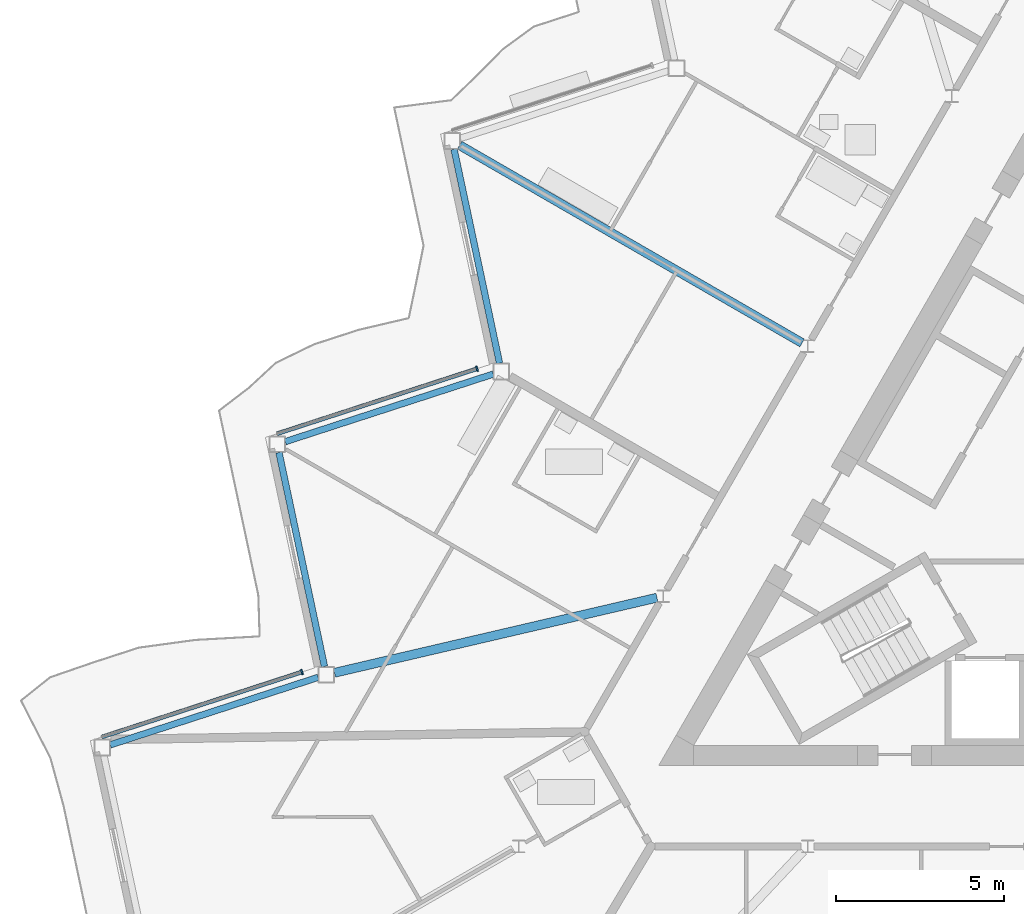
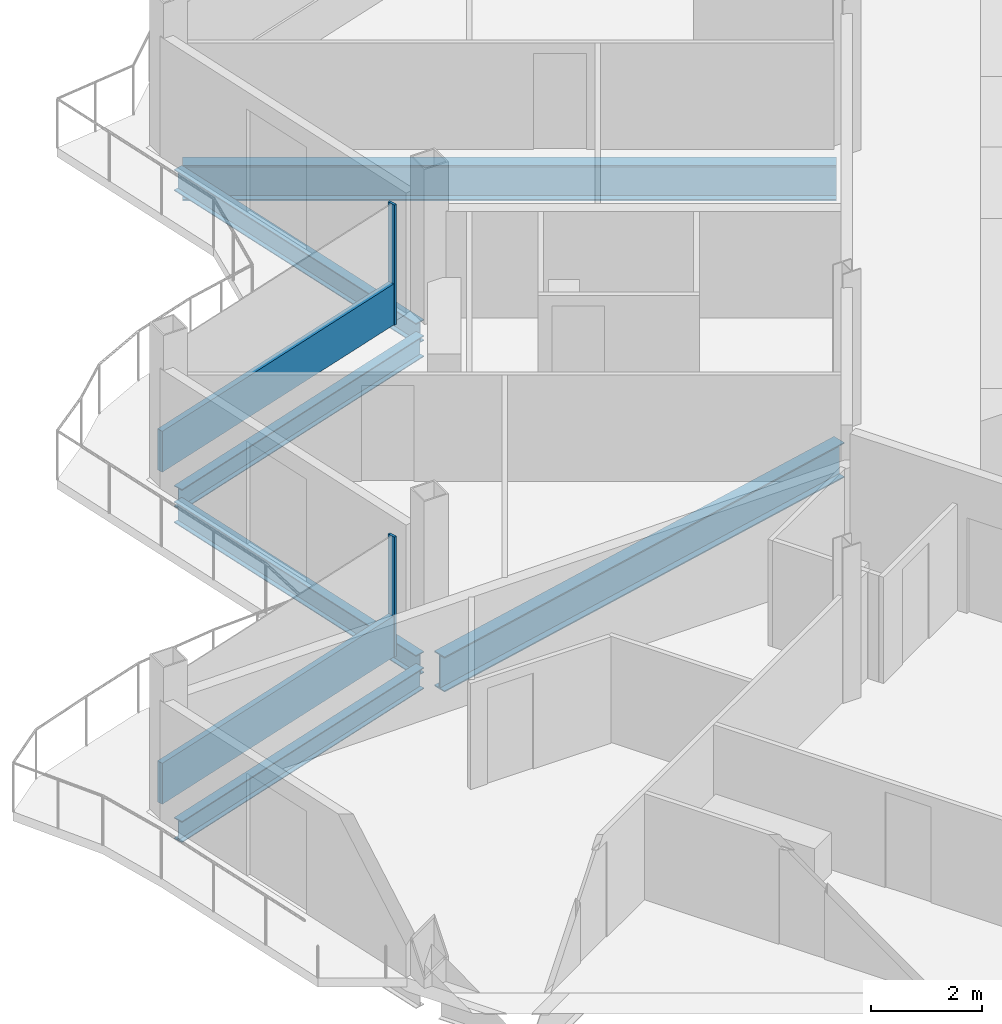
# One storey, part 6 of 26: 6 beams, 4 members, 2 elements without a shape of their own.
"""IFC4 building model written with IfcOpenShell, lengths in metres."""

from ifc_helpers import new_model, si_unit, direction, frame, origin, origin_2d, place, context, subcontext, project, spatial, rectangle, i_section, extrude, material, layer, layer_set, material_profile, profile_set, type_object, element, aggregate, save


model = new_model("IFC4")

# Units and contexts
model_context = context("Model", 3, precision=1e-05, world=origin(), true_north=direction((0.0, 1.0)))
body_context = subcontext(model_context, "Body", "Model", "MODEL_VIEW")
ifc_project = project(units=[si_unit("LENGTHUNIT", "METRE"), si_unit("AREAUNIT", "SQUARE_METRE"), si_unit("VOLUMEUNIT", "CUBIC_METRE"), si_unit("PLANEANGLEUNIT", "RADIAN"), si_unit("MASSUNIT", "GRAM", prefix="KILO")], contexts=[model_context])

# Site, building, storey
site_placement = place(None, origin())
site = spatial("IfcSite", under=ifc_project, at=site_placement, CompositionType="ELEMENT")
building_placement = place(site_placement, origin())
building = spatial("IfcBuilding", under=site, at=building_placement, Name="Cormorant Prow Tower", CompositionType="ELEMENT")
storey_placement = place(building_placement, frame((0.0, 0.0, 381.39990234375)))
storey = spatial("IfcBuildingStorey", under=building, at=storey_placement, Name="L86", CompositionType="ELEMENT", Elevation=381.39990234375)

# Beams
ifc_material_1 = material(Name="Structural steel ASTM A992 Gr 50", Category="steel")
ifc_material_profile_1 = material_profile(ifc_material_1, i_section(OverallWidth=0.267822265625, OverallDepth=0.77001953125, WebThickness=0.015625, FlangeThickness=0.025390625, at=origin_2d()), Name="W30x132")
ifc_profile_set_1 = profile_set([ifc_material_profile_1], Name="Structural steel ASTM A992 Gr 50")
beam_type_1 = type_object("IfcBeamType", Name="Radial floor beam W30x132", PredefinedType="BEAM", material=ifc_profile_set_1)
beam_1_placement = place(storey_placement, frame((-8.740478515625, 5.04638671875, -0.684814453125), z_axis=(-0.866026702285, 0.499997750924, 0.0), x_axis=(-0.499997750924, -0.866026702285, 0.0)))
element("IfcBeam", 1, at=beam_1_placement, inside=storey, type_object=beam_type_1, Name="Radial floor beam FB3 3 L86", PredefinedType="BEAM", context=body_context, shape_type="SweptSolid", body=[
    extrude(i_section(OverallWidth=0.267822265625, OverallDepth=0.77001953125, WebThickness=0.015625, FlangeThickness=0.025390625, at=origin_2d()), origin(), (0.0, 0.0, 1.0), 11.7451171875),
])
beam_2_placement = place(storey_placement, frame((-13.0498046875, -2.518798828125, -0.684814453125), z_axis=(-0.973926084128, -0.226865560752, 0.0), x_axis=(0.226865560752, -0.973926084128, 0.0)))
element("IfcBeam", 2, at=beam_2_placement, inside=storey, type_object=beam_type_1, Name="Radial floor beam FB3 4 L86", PredefinedType="BEAM", context=body_context, shape_type="SweptSolid", body=[
    extrude(i_section(OverallWidth=0.267822265625, OverallDepth=0.77001953125, WebThickness=0.015625, FlangeThickness=0.025390625, at=origin_2d()), origin(), (0.0, 0.0, 1.0), 9.837158203125),
])

# Curtain wall, member
ifc_material_2 = material(Name="Aluminium 6063-T6", Category="aluminium")
ifc_layer = layer(ifc_material_2, 0.159912109375)
ifc_layer_set = layer_set([ifc_layer], Name="Aluminium 6063-T6")
curtain_wall_type = type_object("IfcCurtainWallType", Name="Residential unitised curtain wall 160", PredefinedType="NOTDEFINED", material=ifc_layer_set)
curtain_wall_1_placement = place(storey_placement, origin())
curtain_wall_1 = element("IfcCurtainWall", 3, at=curtain_wall_1_placement, inside=storey, type_object=curtain_wall_type, Name="Residential curtain wall WNW06", PredefinedType="NOTDEFINED")
ifc_material_3 = material(Name="Aluminium 6063-T6", Category="aluminium")
ifc_material_profile_2 = material_profile(ifc_material_3, rectangle(XDim=0.159912109375, YDim=0.050048828125, at=origin_2d()), Name="Residential mullion 50x160")
ifc_profile_set_2 = profile_set([ifc_material_profile_2], Name="Aluminium 6063-T6")
member_type_1 = type_object("IfcMemberType", Name="Residential mullion 50x160", PredefinedType="MULLION", material=ifc_profile_set_2)
member_1_placement = place(storey_placement, frame((-18.3955078125, 4.28076171875, 0.0), z_axis=(0.0, 0.0, 1.0), x_axis=(0.309017024369, -0.951056506549, 0.0)))
member_1 = element("IfcMember", 4, at=member_1_placement, type_object=member_type_1, Name="Residential mullion WNW06", PredefinedType="MULLION", context=body_context, shape_type="SweptSolid", body=[
    extrude(rectangle(XDim=0.159912109375, YDim=0.050048828125, at=origin_2d()), origin(), (0.0, 0.0, 1.0), 2.634033203125),
])

curtain_wall_2_placement = place(storey_placement, origin())
curtain_wall_2 = element("IfcCurtainWall", 5, at=curtain_wall_2_placement, inside=storey, type_object=curtain_wall_type, Name="Residential curtain wall WNW08", PredefinedType="NOTDEFINED")
member_2_placement = place(storey_placement, frame((-23.595458984375, -4.72607421875, 0.0), z_axis=(0.0, 0.0, 1.0), x_axis=(0.309016895096, -0.951056548553, 0.0)))
member_2 = element("IfcMember", 6, at=member_2_placement, type_object=member_type_1, Name="Residential mullion WNW08", PredefinedType="MULLION", context=body_context, shape_type="SweptSolid", body=[
    extrude(rectangle(XDim=0.159912109375, YDim=0.050048828125, at=origin_2d()), origin(), (0.0, 0.0, 1.0), 2.634033203125),
])

# Member
ifc_material_4 = material(Name="Terracotta", Category="masonry")
ifc_material_profile_3 = material_profile(ifc_material_4, rectangle(XDim=0.1201171875, YDim=0.89990234375, at=origin_2d()), Name="Residential terracotta spandrel rail 120x900")
ifc_profile_set_3 = profile_set([ifc_material_profile_3], Name="Terracotta")
member_type_2 = type_object("IfcMemberType", Name="Residential terracotta spandrel rail 120x900", PredefinedType="USERDEFINED", material=ifc_profile_set_3)
member_3_placement = place(storey_placement, frame((-18.419189453125, 4.27294921875, 0.4501953125), z_axis=(-0.951056004715, -0.309018568854, 0.0), x_axis=(0.309018568854, -0.951056004715, 0.0)))
member_3 = element("IfcMember", 7, at=member_3_placement, type_object=member_type_2, Name="Residential spandrel rail WNW06", ObjectType="TRANSOM", PredefinedType="USERDEFINED", context=body_context, shape_type="SweptSolid", body=[
    extrude(rectangle(XDim=0.1201171875, YDim=0.89990234375, at=origin_2d()), origin(), (0.0, 0.0, 1.0), 6.21533203125),
])

aggregate(curtain_wall_1, [member_1, member_3])

member_4_placement = place(storey_placement, frame((-23.619140625, -4.733642578125, 0.4501953125), z_axis=(-0.951056004715, -0.309018568854, 0.0), x_axis=(0.309018568854, -0.951056004715, 0.0)))
member_4 = element("IfcMember", 8, at=member_4_placement, type_object=member_type_2, Name="Residential spandrel rail WNW08", ObjectType="TRANSOM", PredefinedType="USERDEFINED", context=body_context, shape_type="SweptSolid", body=[
    extrude(rectangle(XDim=0.1201171875, YDim=0.89990234375, at=origin_2d()), origin(), (0.0, 0.0, 1.0), 6.21533203125),
])

aggregate(curtain_wall_2, [member_2, member_4])

# Beams
ifc_material_5 = material(Name="Structural steel ASTM A992 Gr 50", Category="steel")
ifc_material_profile_4 = material_profile(ifc_material_5, i_section(OverallWidth=0.19287109375, OverallDepth=0.466064453125, WebThickness=0.011474609375, FlangeThickness=0.01904296875, at=origin_2d()), Name="W18x65")
ifc_profile_set_4 = profile_set([ifc_material_profile_4], Name="Structural steel ASTM A992 Gr 50")
beam_type_2 = type_object("IfcBeamType", Name="Spandrel beam W18x65", PredefinedType="SPANDREL", material=ifc_profile_set_4)
for number, where, z_axis, x_axis, name in (
    (9, (-19.07666015625, 10.79931640625, -0.532958984375), (0.207909538847, -0.978148058147, 0.0), (0.978148058147, 0.207909538847, 0.0), "Spandrel beam SB4 WNW05-WNW06 L86"),
    (10, (-17.91162109375, 4.122314453125, -0.532958984375), (-0.951053396625, -0.309026595569, 0.0), (0.309026595569, -0.951053396625, 0.0), "Spandrel beam SB4 WNW06-WNW07 L86"),
    (11, (-24.276611328125, 1.792724609375, -0.532958984375), (0.207909538847, -0.978148058147, 0.0), (0.978148058147, 0.207909538847, 0.0), "Spandrel beam SB4 WNW07-WNW08 L86"),
    (12, (-23.111572265625, -4.88427734375, -0.532958984375), (-0.951053396625, -0.309026595569, 0.0), (0.309026595569, -0.951053396625, 0.0), "Spandrel beam SB4 WNW08-WNW09 L86"),
):
    element("IfcBeam", number, at=place(storey_placement, frame(where, z_axis=z_axis, x_axis=x_axis)), inside=storey, type_object=beam_type_2, Name=name, PredefinedType="SPANDREL", context=body_context, shape_type="SweptSolid", body=[
        extrude(i_section(OverallWidth=0.19287109375, OverallDepth=0.466064453125, WebThickness=0.011474609375, FlangeThickness=0.01904296875, at=origin_2d()), origin(), (0.0, 0.0, 1.0), 6.497314453125),
    ])

save(model, "model.ifc")
